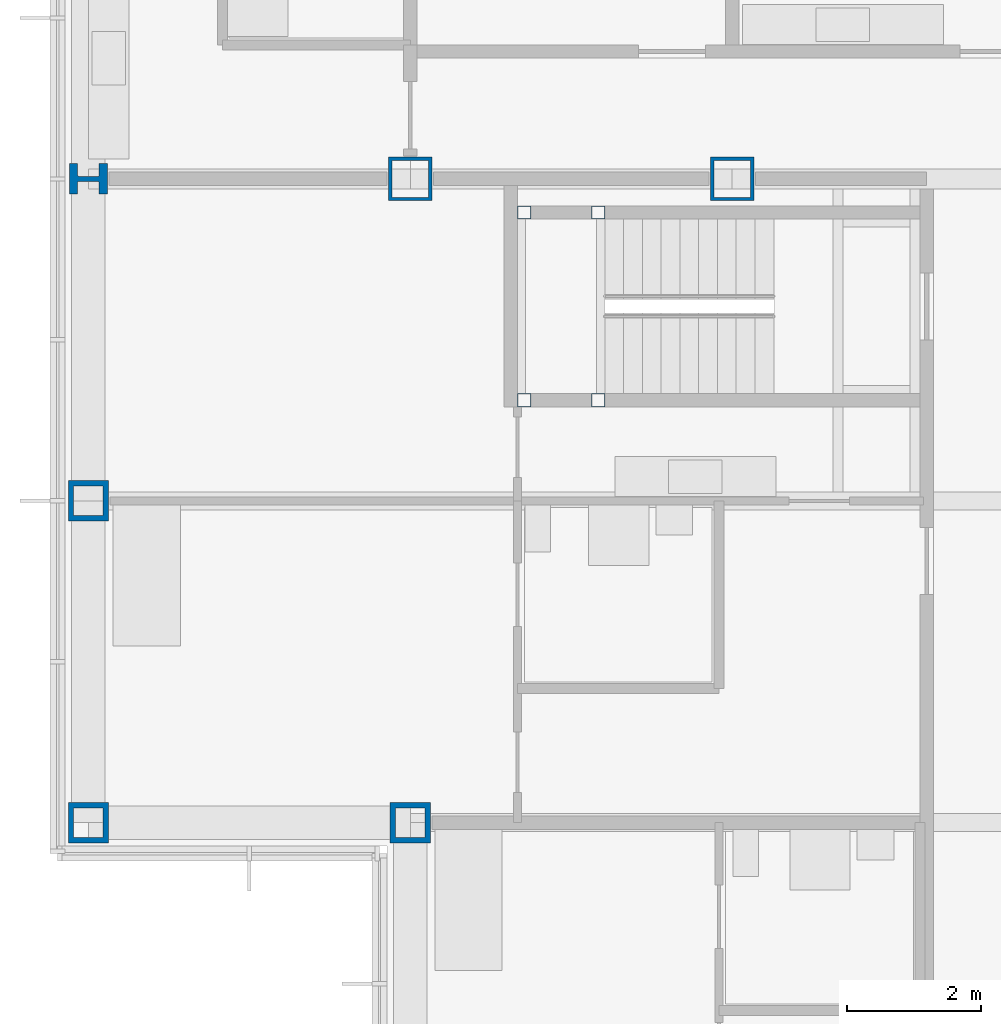
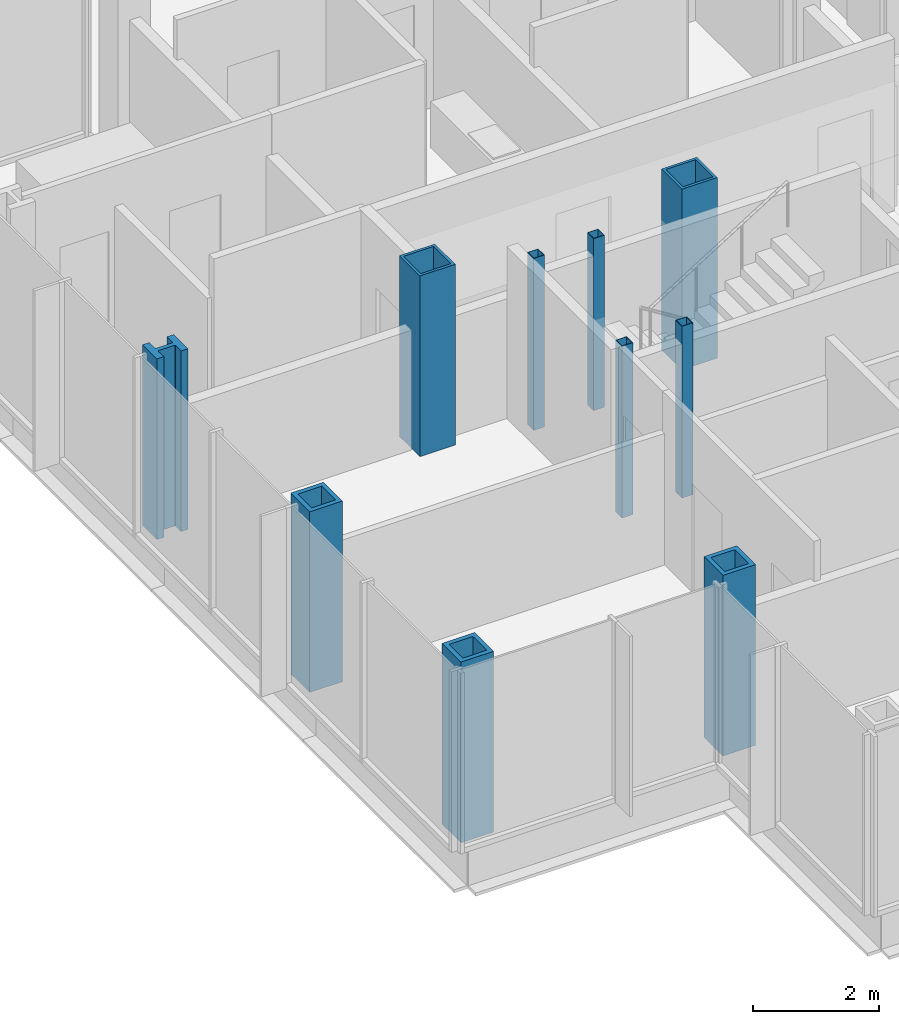
# One storey, part 3 of 19: 10 columns.
"""IFC4 building model written with IfcOpenShell, lengths in metres."""

from ifc_helpers import new_model, si_unit, direction, frame, origin, origin_2d, place, context, subcontext, project, spatial, hollow_rectangle, i_section, extrude, material, material_profile, profile_set, type_object, element, save


model = new_model("IFC4")

# Units and contexts
model_context = context("Model", 3, precision=1e-05, world=origin(), true_north=direction((0.0, 1.0)))
body_context = subcontext(model_context, "Body", "Model", "MODEL_VIEW")
ifc_project = project(units=[si_unit("LENGTHUNIT", "METRE"), si_unit("AREAUNIT", "SQUARE_METRE"), si_unit("VOLUMEUNIT", "CUBIC_METRE"), si_unit("PLANEANGLEUNIT", "RADIAN"), si_unit("MASSUNIT", "GRAM", prefix="KILO")], contexts=[model_context])

# Site, building, storey
site_placement = place(None, origin())
site = spatial("IfcSite", under=ifc_project, at=site_placement, CompositionType="ELEMENT")
building_placement = place(site_placement, origin())
building = spatial("IfcBuilding", under=site, at=building_placement, Name="Kvirike Care Tower", CompositionType="ELEMENT")
storey_placement = place(building_placement, frame((0.0, 0.0, 108.5)))
storey = spatial("IfcBuildingStorey", under=building, at=storey_placement, Name="L29", CompositionType="ELEMENT", Elevation=108.5)

# Columns
ifc_material_1 = material(Name="Steel S460", Category="steel")
ifc_material_profile_1 = material_profile(ifc_material_1, hollow_rectangle(XDim=0.60009765625, YDim=0.60009765625, WallThickness=0.080078125, at=origin_2d()), Name="BX 600x600x80")
ifc_profile_set_1 = profile_set([ifc_material_profile_1], Name="Steel S460")
column_type_1 = type_object("IfcColumnType", Name="COLUMN BX 600x600x80", PredefinedType="COLUMN", material=ifc_profile_set_1)
for number, where, z_axis, x_axis, name in (
    (1, (0.0, 33.60009765625, 0.0), (0.0, 0.0, 1.0), (0.0, 1.0, 0.0), "Column H3 L29"),
    (2, (0.0, 38.39990234375, 0.0), (0.0, 0.0, 1.0), (1.0, 0.0, 0.0), "Column J3 L29"),
    (3, (4.800048828125, 33.60009765625, 0.0), (0.0, 0.0, 1.0), (0.0, 1.0, 0.0), "Column H4 L29"),
):
    element("IfcColumn", number, at=place(storey_placement, frame(where, z_axis=z_axis, x_axis=x_axis)), inside=storey, type_object=column_type_1, Name=name, PredefinedType="COLUMN", context=body_context, shape_type="SweptSolid", body=[
        extrude(hollow_rectangle(XDim=0.60009765625, YDim=0.60009765625, WallThickness=0.080078125, at=origin_2d()), origin(), (0.0, 0.0, 1.0), 3.5),
    ])
ifc_material_2 = material(Name="Steel S460", Category="steel")
ifc_material_profile_2 = material_profile(ifc_material_2, hollow_rectangle(XDim=0.64990234375, YDim=0.64990234375, WallThickness=0.050048828125, at=origin_2d()), Name="BX 650x650x50")
ifc_profile_set_2 = profile_set([ifc_material_profile_2], Name="Steel S460")
column_type_2 = type_object("IfcColumnType", Name="COLUMN BX 650x650x50", PredefinedType="COLUMN", material=ifc_profile_set_2)
for number, where, z_axis, x_axis, name in (
    (4, (4.800048828125, 43.199951171875, 0.0), (0.0, 0.0, 1.0), (0.0, 1.0, 0.0), "Column K4 L29"),
    (5, (9.60009765625, 43.199951171875, 0.0), (0.0, 0.0, 1.0), (0.0, 1.0, 0.0), "Column K5 L29"),
):
    element("IfcColumn", number, at=place(storey_placement, frame(where, z_axis=z_axis, x_axis=x_axis)), inside=storey, type_object=column_type_2, Name=name, PredefinedType="COLUMN", context=body_context, shape_type="SweptSolid", body=[
        extrude(hollow_rectangle(XDim=0.64990234375, YDim=0.64990234375, WallThickness=0.050048828125, at=origin_2d()), origin(), (0.0, 0.0, 1.0), 3.5),
    ])
ifc_material_3 = material(Name="Steel S460", Category="steel")
ifc_material_profile_3 = material_profile(ifc_material_3, i_section(OverallWidth=0.4541015625, OverallDepth=0.569091796875, WebThickness=0.077880859375, FlangeThickness=0.125, FilletRadius=0.014892578125, at=origin_2d()), Name="HD 400x1086")
ifc_profile_set_3 = profile_set([ifc_material_profile_3], Name="Steel S460")
column_type_3 = type_object("IfcColumnType", Name="COLUMN HD 400x1086", PredefinedType="COLUMN", material=ifc_profile_set_3)
column_placement = place(storey_placement, frame((0.0, 43.199951171875, 0.0), z_axis=(0.0, 0.0, 1.0), x_axis=(0.0, 1.0, 0.0)))
element("IfcColumn", 6, at=column_placement, inside=storey, type_object=column_type_3, Name="Column K3 L29", PredefinedType="COLUMN", context=body_context, shape_type="SweptSolid", body=[
    extrude(i_section(OverallWidth=0.4541015625, OverallDepth=0.569091796875, WebThickness=0.077880859375, FlangeThickness=0.125, FilletRadius=0.014892578125, at=origin_2d()), origin(), (0.0, 0.0, 1.0), 3.5),
])
ifc_material_4 = material(Name="Steel S460", Category="steel")
ifc_material_profile_4 = material_profile(ifc_material_4, hollow_rectangle(XDim=0.199951171875, YDim=0.199951171875, WallThickness=0.008056640625, at=origin_2d()), Name="SHS 200x200x8")
ifc_profile_set_4 = profile_set([ifc_material_profile_4], Name="Steel S460")
column_type_4 = type_object("IfcColumnType", Name="STAIR POST SHS 200x200x8", PredefinedType="COLUMN", material=ifc_profile_set_4)
for number, where, z_axis, x_axis, name in (
    (7, (6.5, 42.699951171875, 0.0), (0.0, 0.0, 1.0), (1.0, 0.0, 0.0), "Stair 1 post 1 L29"),
    (8, (6.5, 39.89990234375, 0.0), (0.0, 0.0, 1.0), (1.0, 0.0, 0.0), "Stair 1 post 2 L29"),
    (9, (7.60009765625, 42.699951171875, 0.0), (0.0, 0.0, 1.0), (1.0, 0.0, 0.0), "Stair 1 post 3 L29"),
    (10, (7.60009765625, 39.89990234375, 0.0), (0.0, 0.0, 1.0), (1.0, 0.0, 0.0), "Stair 1 post 4 L29"),
):
    element("IfcColumn", number, at=place(storey_placement, frame(where, z_axis=z_axis, x_axis=x_axis)), inside=storey, type_object=column_type_4, Name=name, PredefinedType="COLUMN", context=body_context, shape_type="SweptSolid", body=[
        extrude(hollow_rectangle(XDim=0.199951171875, YDim=0.199951171875, WallThickness=0.008056640625, at=origin_2d()), origin(), (0.0, 0.0, 1.0), 3.330078125),
    ])

save(model, "model.ifc")
